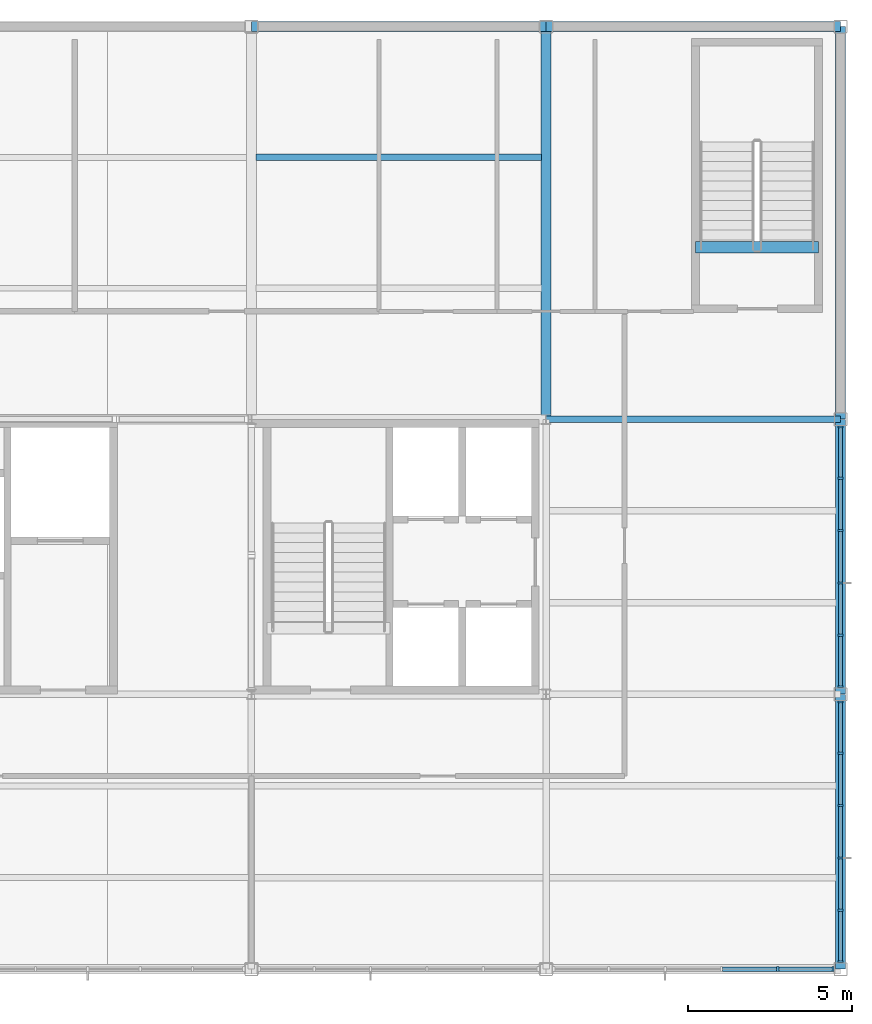
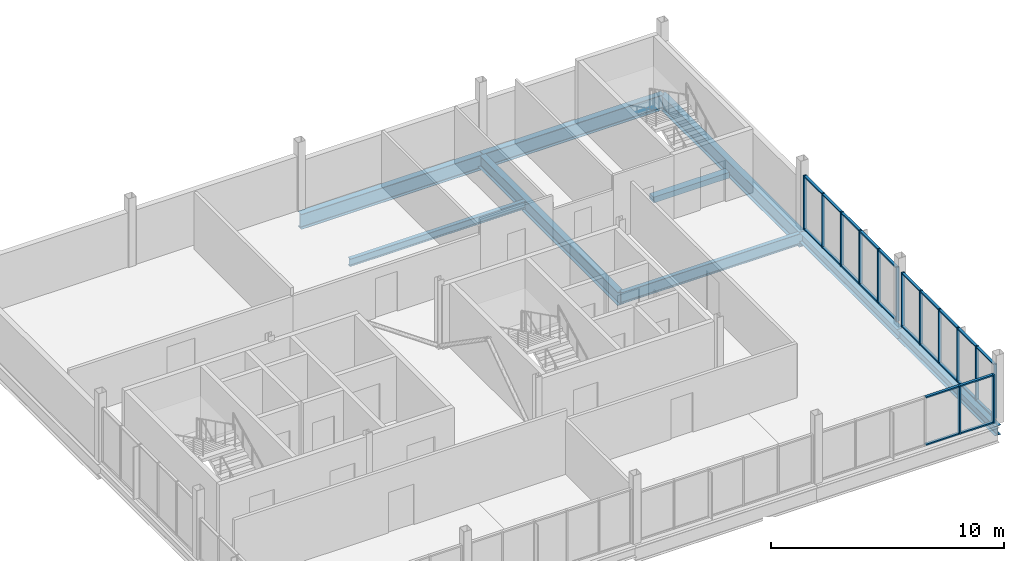
# One storey, part 8 of 15: 38 members, 9 beams, 3 elements without a shape of their own.
"""IFC4 building model written with IfcOpenShell, lengths in metres."""

from ifc_helpers import new_model, si_unit, direction, frame, origin, origin_2d, place, context, subcontext, project, spatial, rectangle, i_section, extrude, material, layer, layer_set, material_profile, profile_set, type_object, element, aggregate, save


model = new_model("IFC4")

# Units and contexts
model_context = context("Model", 3, precision=1e-05, world=origin(), true_north=direction((0.0, 1.0)))
body_context = subcontext(model_context, "Body", "Model", "MODEL_VIEW")
ifc_project = project(units=[si_unit("LENGTHUNIT", "METRE"), si_unit("AREAUNIT", "SQUARE_METRE"), si_unit("VOLUMEUNIT", "CUBIC_METRE"), si_unit("PLANEANGLEUNIT", "RADIAN"), si_unit("MASSUNIT", "GRAM", prefix="KILO")], contexts=[model_context])

# Site, building, storey
site_placement = place(None, origin())
site = spatial("IfcSite", under=ifc_project, at=site_placement, CompositionType="ELEMENT")
building_placement = place(site_placement, origin())
building = spatial("IfcBuilding", under=site, at=building_placement, Name="Yukiwa Park Conservatory and Herbarium", CompositionType="ELEMENT")
storey_placement = place(building_placement, frame((0.0, 0.0, 54.0)))
storey = spatial("IfcBuildingStorey", under=building, at=storey_placement, Name="L14", CompositionType="ELEMENT", Elevation=54.0)

# Beams
ifc_material_1 = material(Name="Steel Q355D", Category="steel")
ifc_material_profile_1 = material_profile(ifc_material_1, i_section(OverallWidth=0.198974609375, OverallDepth=0.595947265625, WebThickness=0.010009765625, FlangeThickness=0.014892578125, FilletRadius=0.02197265625, at=origin_2d()), Name="HN 596x199x10x15")
ifc_profile_set_1 = profile_set([ifc_material_profile_1], Name="Steel Q355D")
beam_type_1 = type_object("IfcBeamType", Name="BM-GRD-HN596", PredefinedType="BEAM", material=ifc_profile_set_1)
beam_1_placement = place(storey_placement, frame((159.006103515625, 103.199951171875, -0.552001953125), z_axis=(1.0, 0.0, 0.0), x_axis=(0.0, 1.0, 0.0)))
element("IfcBeam", 1, at=beam_1_placement, inside=storey, type_object=beam_type_1, Name="L14 grid beam X-12", PredefinedType="BEAM", context=body_context, shape_type="SweptSolid", body=[
    extrude(i_section(OverallWidth=0.198974609375, OverallDepth=0.595947265625, WebThickness=0.010009765625, FlangeThickness=0.014892578125, FilletRadius=0.02197265625, at=origin_2d()), origin(), (0.0, 0.0, 1.0), 8.98779296875),
])
ifc_material_2 = material(Name="Steel Q355D", Category="steel")
ifc_material_profile_2 = material_profile(ifc_material_2, i_section(OverallWidth=0.300048828125, OverallDepth=0.699951171875, WebThickness=0.012939453125, FlangeThickness=0.02392578125, FilletRadius=0.028076171875, at=origin_2d()), Name="HN 700x300x13x24")
ifc_profile_set_2 = profile_set([ifc_material_profile_2], Name="Steel Q355D")
beam_type_2 = type_object("IfcBeamType", Name="BM-GRD-HN700", PredefinedType="BEAM", material=ifc_profile_set_2)
beam_2_placement = place(storey_placement, frame((159.0, 103.2060546875, -0.60400390625), z_axis=(0.0, 1.0, 0.0), x_axis=(-1.0, 0.0, 0.0)))
element("IfcBeam", 2, at=beam_2_placement, inside=storey, type_object=beam_type_2, Name="L14 grid girder Y-27", PredefinedType="BEAM", context=body_context, shape_type="SweptSolid", body=[
    extrude(i_section(OverallWidth=0.300048828125, OverallDepth=0.699951171875, WebThickness=0.012939453125, FlangeThickness=0.02392578125, FilletRadius=0.028076171875, at=origin_2d()), origin(), (0.0, 0.0, 1.0), 11.988037109375),
])
ifc_material_3 = material(Name="Steel Q355D", Category="steel")
ifc_material_profile_3 = material_profile(ifc_material_3, i_section(OverallWidth=0.198974609375, OverallDepth=0.39599609375, WebThickness=0.007080078125, FlangeThickness=0.010986328125, FilletRadius=0.01611328125, at=origin_2d()), Name="HN 396x199x7x11")
ifc_profile_set_3 = profile_set([ifc_material_profile_3], Name="Steel Q355D")
beam_type_3 = type_object("IfcBeamType", Name="BM-JST-HN396", PredefinedType="JOIST", material=ifc_profile_set_3)
beam_3_placement = place(storey_placement, frame((150.14599609375, 111.199951171875, -0.451904296875), z_axis=(1.0, 0.0, 0.0), x_axis=(0.0, 1.0, 0.0)))
element("IfcBeam", 3, at=beam_3_placement, inside=storey, type_object=beam_type_3, Name="L14 composite floor joist 12", PredefinedType="JOIST", context=body_context, shape_type="SweptSolid", body=[
    extrude(i_section(OverallWidth=0.198974609375, OverallDepth=0.39599609375, WebThickness=0.007080078125, FlangeThickness=0.010986328125, FilletRadius=0.01611328125, at=origin_2d()), origin(), (0.0, 0.0, 1.0), 8.7080078125),
])
ifc_material_4 = material(Name="Steel Q355D", Category="steel")
ifc_material_profile_4 = material_profile(ifc_material_4, i_section(OverallWidth=0.300048828125, OverallDepth=0.5, WebThickness=0.010986328125, FlangeThickness=0.01806640625, FilletRadius=0.02392578125, at=origin_2d()), Name="HM 500x300x11x18")
ifc_profile_set_4 = profile_set([ifc_material_profile_4], Name="Steel Q355D")
beam_type_4 = type_object("IfcBeamType", Name="BM-SPN-HN500", PredefinedType="SPANDREL", material=ifc_profile_set_4)
beam_4_placement = place(storey_placement, frame((168.0, 86.406005859375, -0.50390625), z_axis=(0.0, 1.0, 0.0), x_axis=(-1.0, 0.0, 0.0)))
element("IfcBeam", 4, at=beam_4_placement, inside=storey, type_object=beam_type_4, Name="L14 spandrel girder Y-28", PredefinedType="SPANDREL", context=body_context, shape_type="SweptSolid", body=[
    extrude(i_section(OverallWidth=0.300048828125, OverallDepth=0.5, WebThickness=0.010986328125, FlangeThickness=0.01806640625, FilletRadius=0.02392578125, at=origin_2d()), origin(), (0.0, 0.0, 1.0), 8.387939453125),
])
beam_5_placement = place(storey_placement, frame((168.0, 94.805908203125, -0.50390625), z_axis=(0.0, 1.0, 0.0), x_axis=(-1.0, 0.0, 0.0)))
element("IfcBeam", 5, at=beam_5_placement, inside=storey, type_object=beam_type_4, Name="L14 spandrel girder Y-29", PredefinedType="SPANDREL", context=body_context, shape_type="SweptSolid", body=[
    extrude(i_section(OverallWidth=0.300048828125, OverallDepth=0.5, WebThickness=0.010986328125, FlangeThickness=0.01806640625, FilletRadius=0.02392578125, at=origin_2d()), origin(), (0.0, 0.0, 1.0), 8.38818359375),
])
ifc_material_5 = material(Name="Steel Q355D", Category="steel")
ifc_material_profile_5 = material_profile(ifc_material_5, i_section(OverallWidth=0.300048828125, OverallDepth=0.7919921875, WebThickness=0.013916015625, FlangeThickness=0.02197265625, FilletRadius=0.028076171875, at=origin_2d()), Name="HN 792x300x14x22")
ifc_profile_set_5 = profile_set([ifc_material_profile_5], Name="Steel Q355D")
beam_type_5 = type_object("IfcBeamType", Name="BM-SPN-HN600", PredefinedType="SPANDREL", material=ifc_profile_set_5)
for number, where, z_axis, x_axis, name in (
    (6, (150.006103515625, 115.199951171875, -0.64990234375), (1.0, 0.0, 0.0), (0.0, 1.0, 0.0), "L14 spandrel beam X-15"),
    (7, (159.006103515625, 115.199951171875, -0.64990234375), (1.0, 0.0, 0.0), (0.0, 1.0, 0.0), "L14 spandrel beam X-16"),
):
    element("IfcBeam", number, at=place(storey_placement, frame(where, z_axis=z_axis, x_axis=x_axis)), inside=storey, type_object=beam_type_5, Name=name, PredefinedType="SPANDREL", context=body_context, shape_type="SweptSolid", body=[
        extrude(i_section(OverallWidth=0.300048828125, OverallDepth=0.7919921875, WebThickness=0.013916015625, FlangeThickness=0.02197265625, FilletRadius=0.028076171875, at=origin_2d()), origin(), (0.0, 0.0, 1.0), 8.98779296875),
    ])
beam_6_placement = place(storey_placement, frame((168.0, 103.2060546875, -0.64990234375), z_axis=(0.0, 1.0, 0.0), x_axis=(-1.0, 0.0, 0.0)))
element("IfcBeam", 8, at=beam_6_placement, inside=storey, type_object=beam_type_5, Name="L14 spandrel girder Y-30", PredefinedType="SPANDREL", context=body_context, shape_type="SweptSolid", body=[
    extrude(i_section(OverallWidth=0.300048828125, OverallDepth=0.7919921875, WebThickness=0.013916015625, FlangeThickness=0.02197265625, FilletRadius=0.028076171875, at=origin_2d()), origin(), (0.0, 0.0, 1.0), 11.988037109375),
])
ifc_material_6 = material(Name="Concrete C40", Category="concrete")
ifc_material_profile_6 = material_profile(ifc_material_6, rectangle(XDim=0.35009765625, YDim=0.300048828125, at=origin_2d()), Name="RC 350x300")
ifc_profile_set_6 = profile_set([ifc_material_profile_6], Name="Concrete C40")
beam_type_6 = type_object("IfcBeamType", Name="BM-STAIR-TRIM", PredefinedType="BEAM", material=ifc_profile_set_6)
beam_7_placement = place(storey_placement, frame((163.570068359375, 108.4599609375, -0.14990234375), z_axis=(1.0, 0.0, 0.0), x_axis=(0.0, 1.0, 0.0)))
element("IfcBeam", 9, at=beam_7_placement, inside=storey, type_object=beam_type_6, Name="Stair ST-T3 L14 landing trimmer beam", PredefinedType="BEAM", context=body_context, shape_type="SweptSolid", body=[
    extrude(rectangle(XDim=0.35009765625, YDim=0.300048828125, at=origin_2d()), origin(), (0.0, 0.0, 1.0), 3.75),
])

# Curtain wall, members
ifc_material_7 = material(Name="Triple Low-E Insulated Glass", Category="glass")
ifc_layer = layer(ifc_material_7, 0.27197265625)
ifc_layer_set = layer_set([ifc_layer], Name="Triple Low-E Insulated Glass")
curtain_wall_type = type_object("IfcCurtainWallType", Name="CW-TOWER-LIB-1600", PredefinedType="NOTDEFINED", material=ifc_layer_set)
curtain_wall_1_placement = place(storey_placement, origin())
curtain_wall_1 = element("IfcCurtainWall", 10, at=curtain_wall_1_placement, inside=storey, type_object=curtain_wall_type, Name="L14 unitised curtain wall CW-L14-133", PredefinedType="NOTDEFINED")
ifc_material_8 = material(Name="Anodised Aluminium", Category="aluminium")
member_type_1 = type_object("IfcMemberType", Name="MB-CW-MUL-70X150", PredefinedType="MULLION", material=ifc_material_8)
member_1_placement = place(storey_placement, frame((168.0, 86.635009765625, 0.0), z_axis=(0.0, 0.0, 1.0), x_axis=(0.0, 1.0, 0.0)))
member_1 = element("IfcMember", 11, at=member_1_placement, type_object=member_type_1, Name="CW-L14-133 mullion 1", PredefinedType="MULLION", context=body_context, shape_type="SweptSolid", body=[
    extrude(rectangle(XDim=0.070068359375, YDim=0.14990234375, at=origin_2d()), origin(), (0.0, 0.0, 1.0), 2.843994140625),
])
member_2_placement = place(storey_placement, frame((168.0, 88.199951171875, 0.0), z_axis=(0.0, 0.0, 1.0), x_axis=(0.0, 1.0, 0.0)))
member_2 = element("IfcMember", 12, at=member_2_placement, type_object=member_type_1, Name="CW-L14-133 mullion 2", PredefinedType="MULLION", context=body_context, shape_type="SweptSolid", body=[
    extrude(rectangle(XDim=0.070068359375, YDim=0.14990234375, at=origin_2d()), origin(), (0.0, 0.0, 1.0), 2.843994140625),
])
member_3_placement = place(storey_placement, frame((168.0, 89.800048828125, 0.0), z_axis=(0.0, 0.0, 1.0), x_axis=(0.0, 1.0, 0.0)))
member_3 = element("IfcMember", 13, at=member_3_placement, type_object=member_type_1, Name="CW-L14-133 mullion 3", PredefinedType="MULLION", context=body_context, shape_type="SweptSolid", body=[
    extrude(rectangle(XDim=0.070068359375, YDim=0.14990234375, at=origin_2d()), origin(), (0.0, 0.0, 1.0), 2.843994140625),
])
member_4_placement = place(storey_placement, frame((168.0, 91.39990234375, 0.0), z_axis=(0.0, 0.0, 1.0), x_axis=(0.0, 1.0, 0.0)))
member_4 = element("IfcMember", 14, at=member_4_placement, type_object=member_type_1, Name="CW-L14-133 mullion 4", PredefinedType="MULLION", context=body_context, shape_type="SweptSolid", body=[
    extrude(rectangle(XDim=0.070068359375, YDim=0.14990234375, at=origin_2d()), origin(), (0.0, 0.0, 1.0), 2.843994140625),
])
member_5_placement = place(storey_placement, frame((168.0, 93.0, 0.0), z_axis=(0.0, 0.0, 1.0), x_axis=(0.0, 1.0, 0.0)))
member_5 = element("IfcMember", 15, at=member_5_placement, type_object=member_type_1, Name="CW-L14-133 mullion 5", PredefinedType="MULLION", context=body_context, shape_type="SweptSolid", body=[
    extrude(rectangle(XDim=0.070068359375, YDim=0.14990234375, at=origin_2d()), origin(), (0.0, 0.0, 1.0), 2.843994140625),
])
member_6_placement = place(storey_placement, frame((168.0, 94.56494140625, 0.0), z_axis=(0.0, 0.0, 1.0), x_axis=(0.0, 1.0, 0.0)))
member_6 = element("IfcMember", 16, at=member_6_placement, type_object=member_type_1, Name="CW-L14-133 mullion 6", PredefinedType="MULLION", context=body_context, shape_type="SweptSolid", body=[
    extrude(rectangle(XDim=0.070068359375, YDim=0.14990234375, at=origin_2d()), origin(), (0.0, 0.0, 1.0), 2.843994140625),
])

curtain_wall_2_placement = place(storey_placement, origin())
curtain_wall_2 = element("IfcCurtainWall", 17, at=curtain_wall_2_placement, inside=storey, type_object=curtain_wall_type, Name="L14 unitised curtain wall CW-L14-134", PredefinedType="NOTDEFINED")
member_7_placement = place(storey_placement, frame((168.0, 95.034912109375, 0.0), z_axis=(0.0, 0.0, 1.0), x_axis=(0.0, 1.0, 0.0)))
member_7 = element("IfcMember", 18, at=member_7_placement, type_object=member_type_1, Name="CW-L14-134 mullion 1", PredefinedType="MULLION", context=body_context, shape_type="SweptSolid", body=[
    extrude(rectangle(XDim=0.070068359375, YDim=0.14990234375, at=origin_2d()), origin(), (0.0, 0.0, 1.0), 2.843994140625),
])
member_8_placement = place(storey_placement, frame((168.0, 96.60009765625, 0.0), z_axis=(0.0, 0.0, 1.0), x_axis=(0.0, 1.0, 0.0)))
member_8 = element("IfcMember", 19, at=member_8_placement, type_object=member_type_1, Name="CW-L14-134 mullion 2", PredefinedType="MULLION", context=body_context, shape_type="SweptSolid", body=[
    extrude(rectangle(XDim=0.070068359375, YDim=0.14990234375, at=origin_2d()), origin(), (0.0, 0.0, 1.0), 2.843994140625),
])
member_9_placement = place(storey_placement, frame((168.0, 98.199951171875, 0.0), z_axis=(0.0, 0.0, 1.0), x_axis=(0.0, 1.0, 0.0)))
member_9 = element("IfcMember", 20, at=member_9_placement, type_object=member_type_1, Name="CW-L14-134 mullion 3", PredefinedType="MULLION", context=body_context, shape_type="SweptSolid", body=[
    extrude(rectangle(XDim=0.070068359375, YDim=0.14990234375, at=origin_2d()), origin(), (0.0, 0.0, 1.0), 2.843994140625),
])
member_10_placement = place(storey_placement, frame((168.0, 99.800048828125, 0.0), z_axis=(0.0, 0.0, 1.0), x_axis=(0.0, 1.0, 0.0)))
member_10 = element("IfcMember", 21, at=member_10_placement, type_object=member_type_1, Name="CW-L14-134 mullion 4", PredefinedType="MULLION", context=body_context, shape_type="SweptSolid", body=[
    extrude(rectangle(XDim=0.070068359375, YDim=0.14990234375, at=origin_2d()), origin(), (0.0, 0.0, 1.0), 2.843994140625),
])
member_11_placement = place(storey_placement, frame((168.0, 101.39990234375, 0.0), z_axis=(0.0, 0.0, 1.0), x_axis=(0.0, 1.0, 0.0)))
member_11 = element("IfcMember", 22, at=member_11_placement, type_object=member_type_1, Name="CW-L14-134 mullion 5", PredefinedType="MULLION", context=body_context, shape_type="SweptSolid", body=[
    extrude(rectangle(XDim=0.070068359375, YDim=0.14990234375, at=origin_2d()), origin(), (0.0, 0.0, 1.0), 2.843994140625),
])
member_12_placement = place(storey_placement, frame((168.0, 102.965087890625, 0.0), z_axis=(0.0, 0.0, 1.0), x_axis=(0.0, 1.0, 0.0)))
member_12 = element("IfcMember", 23, at=member_12_placement, type_object=member_type_1, Name="CW-L14-134 mullion 6", PredefinedType="MULLION", context=body_context, shape_type="SweptSolid", body=[
    extrude(rectangle(XDim=0.070068359375, YDim=0.14990234375, at=origin_2d()), origin(), (0.0, 0.0, 1.0), 2.843994140625),
])

curtain_wall_3_placement = place(storey_placement, origin())
curtain_wall_3 = element("IfcCurtainWall", 24, at=curtain_wall_3_placement, inside=storey, type_object=curtain_wall_type, Name="L14 unitised curtain wall CW-L14-140", PredefinedType="NOTDEFINED")
member_13_placement = place(storey_placement, frame((166.080078125, 86.39990234375, 0.0), z_axis=(0.0, 0.0, 1.0), x_axis=(1.0, 0.0, 0.0)))
member_13 = element("IfcMember", 25, at=member_13_placement, type_object=member_type_1, Name="CW-L14-140 mullion 5", PredefinedType="MULLION", context=body_context, shape_type="SweptSolid", body=[
    extrude(rectangle(XDim=0.070068359375, YDim=0.14990234375, at=origin_2d()), origin(), (0.0, 0.0, 1.0), 2.552001953125),
])
member_14_placement = place(storey_placement, frame((167.764892578125, 86.39990234375, 0.0), z_axis=(0.0, 0.0, 1.0), x_axis=(1.0, 0.0, 0.0)))
member_14 = element("IfcMember", 26, at=member_14_placement, type_object=member_type_1, Name="CW-L14-140 mullion 6", PredefinedType="MULLION", context=body_context, shape_type="SweptSolid", body=[
    extrude(rectangle(XDim=0.070068359375, YDim=0.14990234375, at=origin_2d()), origin(), (0.0, 0.0, 1.0), 2.552001953125),
])

# Member
ifc_material_9 = material(Name="Anodised Aluminium", Category="aluminium")
member_type_2 = type_object("IfcMemberType", Name="MB-CW-TRN-70X130", PredefinedType="USERDEFINED", material=ifc_material_9)
member_15_placement = place(storey_placement, frame((168.0, 87.39990234375, 0.0), z_axis=(0.0, 0.0, 1.0), x_axis=(0.0, 1.0, 0.0)))
member_15 = element("IfcMember", 27, at=member_15_placement, type_object=member_type_2, Name="CW-L14-133 transom 1.1", ObjectType="TRANSOM", PredefinedType="USERDEFINED", context=body_context, shape_type="SweptSolid", body=[
    extrude(rectangle(XDim=1.530029296875, YDim=0.1298828125, at=origin_2d()), origin(), (0.0, 0.0, 1.0), 0.070068359375),
])

member_16_placement = place(storey_placement, frame((168.0, 87.39990234375, 2.77392578125), z_axis=(0.0, 0.0, 1.0), x_axis=(0.0, 1.0, 0.0)))
member_16 = element("IfcMember", 28, at=member_16_placement, type_object=member_type_2, Name="CW-L14-133 transom 1.2", ObjectType="TRANSOM", PredefinedType="USERDEFINED", context=body_context, shape_type="SweptSolid", body=[
    extrude(rectangle(XDim=1.530029296875, YDim=0.1298828125, at=origin_2d()), origin(), (0.0, 0.0, 1.0), 0.070068359375),
])

member_17_placement = place(storey_placement, frame((168.0, 89.0, 0.0), z_axis=(0.0, 0.0, 1.0), x_axis=(0.0, 1.0, 0.0)))
member_17 = element("IfcMember", 29, at=member_17_placement, type_object=member_type_2, Name="CW-L14-133 transom 2.1", ObjectType="TRANSOM", PredefinedType="USERDEFINED", context=body_context, shape_type="SweptSolid", body=[
    extrude(rectangle(XDim=1.530029296875, YDim=0.1298828125, at=origin_2d()), origin(), (0.0, 0.0, 1.0), 0.070068359375),
])

member_18_placement = place(storey_placement, frame((168.0, 89.0, 2.77392578125), z_axis=(0.0, 0.0, 1.0), x_axis=(0.0, 1.0, 0.0)))
member_18 = element("IfcMember", 30, at=member_18_placement, type_object=member_type_2, Name="CW-L14-133 transom 2.2", ObjectType="TRANSOM", PredefinedType="USERDEFINED", context=body_context, shape_type="SweptSolid", body=[
    extrude(rectangle(XDim=1.530029296875, YDim=0.1298828125, at=origin_2d()), origin(), (0.0, 0.0, 1.0), 0.070068359375),
])

member_19_placement = place(storey_placement, frame((168.0, 90.60009765625, 0.0), z_axis=(0.0, 0.0, 1.0), x_axis=(0.0, 1.0, 0.0)))
member_19 = element("IfcMember", 31, at=member_19_placement, type_object=member_type_2, Name="CW-L14-133 transom 3.1", ObjectType="TRANSOM", PredefinedType="USERDEFINED", context=body_context, shape_type="SweptSolid", body=[
    extrude(rectangle(XDim=1.530029296875, YDim=0.1298828125, at=origin_2d()), origin(), (0.0, 0.0, 1.0), 0.070068359375),
])

member_20_placement = place(storey_placement, frame((168.0, 90.60009765625, 2.77392578125), z_axis=(0.0, 0.0, 1.0), x_axis=(0.0, 1.0, 0.0)))
member_20 = element("IfcMember", 32, at=member_20_placement, type_object=member_type_2, Name="CW-L14-133 transom 3.2", ObjectType="TRANSOM", PredefinedType="USERDEFINED", context=body_context, shape_type="SweptSolid", body=[
    extrude(rectangle(XDim=1.530029296875, YDim=0.1298828125, at=origin_2d()), origin(), (0.0, 0.0, 1.0), 0.070068359375),
])

member_21_placement = place(storey_placement, frame((168.0, 92.199951171875, 0.0), z_axis=(0.0, 0.0, 1.0), x_axis=(0.0, 1.0, 0.0)))
member_21 = element("IfcMember", 33, at=member_21_placement, type_object=member_type_2, Name="CW-L14-133 transom 4.1", ObjectType="TRANSOM", PredefinedType="USERDEFINED", context=body_context, shape_type="SweptSolid", body=[
    extrude(rectangle(XDim=1.530029296875, YDim=0.1298828125, at=origin_2d()), origin(), (0.0, 0.0, 1.0), 0.070068359375),
])

member_22_placement = place(storey_placement, frame((168.0, 92.199951171875, 2.77392578125), z_axis=(0.0, 0.0, 1.0), x_axis=(0.0, 1.0, 0.0)))
member_22 = element("IfcMember", 34, at=member_22_placement, type_object=member_type_2, Name="CW-L14-133 transom 4.2", ObjectType="TRANSOM", PredefinedType="USERDEFINED", context=body_context, shape_type="SweptSolid", body=[
    extrude(rectangle(XDim=1.530029296875, YDim=0.1298828125, at=origin_2d()), origin(), (0.0, 0.0, 1.0), 0.070068359375),
])

member_23_placement = place(storey_placement, frame((168.0, 93.800048828125, 0.0), z_axis=(0.0, 0.0, 1.0), x_axis=(0.0, 1.0, 0.0)))
member_23 = element("IfcMember", 35, at=member_23_placement, type_object=member_type_2, Name="CW-L14-133 transom 5.1", ObjectType="TRANSOM", PredefinedType="USERDEFINED", context=body_context, shape_type="SweptSolid", body=[
    extrude(rectangle(XDim=1.530029296875, YDim=0.1298828125, at=origin_2d()), origin(), (0.0, 0.0, 1.0), 0.070068359375),
])

member_24_placement = place(storey_placement, frame((168.0, 93.800048828125, 2.77392578125), z_axis=(0.0, 0.0, 1.0), x_axis=(0.0, 1.0, 0.0)))
member_24 = element("IfcMember", 36, at=member_24_placement, type_object=member_type_2, Name="CW-L14-133 transom 5.2", ObjectType="TRANSOM", PredefinedType="USERDEFINED", context=body_context, shape_type="SweptSolid", body=[
    extrude(rectangle(XDim=1.530029296875, YDim=0.1298828125, at=origin_2d()), origin(), (0.0, 0.0, 1.0), 0.070068359375),
])

aggregate(curtain_wall_1, [member_1, member_2, member_3, member_4, member_5, member_6, member_15, member_16, member_17, member_18, member_19, member_20, member_21, member_22, member_23, member_24])

member_25_placement = place(storey_placement, frame((168.0, 95.800048828125, 0.0), z_axis=(0.0, 0.0, 1.0), x_axis=(0.0, 1.0, 0.0)))
member_25 = element("IfcMember", 37, at=member_25_placement, type_object=member_type_2, Name="CW-L14-134 transom 1.1", ObjectType="TRANSOM", PredefinedType="USERDEFINED", context=body_context, shape_type="SweptSolid", body=[
    extrude(rectangle(XDim=1.530029296875, YDim=0.1298828125, at=origin_2d()), origin(), (0.0, 0.0, 1.0), 0.070068359375),
])

member_26_placement = place(storey_placement, frame((168.0, 95.800048828125, 2.77392578125), z_axis=(0.0, 0.0, 1.0), x_axis=(0.0, 1.0, 0.0)))
member_26 = element("IfcMember", 38, at=member_26_placement, type_object=member_type_2, Name="CW-L14-134 transom 1.2", ObjectType="TRANSOM", PredefinedType="USERDEFINED", context=body_context, shape_type="SweptSolid", body=[
    extrude(rectangle(XDim=1.530029296875, YDim=0.1298828125, at=origin_2d()), origin(), (0.0, 0.0, 1.0), 0.070068359375),
])

member_27_placement = place(storey_placement, frame((168.0, 97.39990234375, 0.0), z_axis=(0.0, 0.0, 1.0), x_axis=(0.0, 1.0, 0.0)))
member_27 = element("IfcMember", 39, at=member_27_placement, type_object=member_type_2, Name="CW-L14-134 transom 2.1", ObjectType="TRANSOM", PredefinedType="USERDEFINED", context=body_context, shape_type="SweptSolid", body=[
    extrude(rectangle(XDim=1.530029296875, YDim=0.1298828125, at=origin_2d()), origin(), (0.0, 0.0, 1.0), 0.070068359375),
])

member_28_placement = place(storey_placement, frame((168.0, 97.39990234375, 2.77392578125), z_axis=(0.0, 0.0, 1.0), x_axis=(0.0, 1.0, 0.0)))
member_28 = element("IfcMember", 40, at=member_28_placement, type_object=member_type_2, Name="CW-L14-134 transom 2.2", ObjectType="TRANSOM", PredefinedType="USERDEFINED", context=body_context, shape_type="SweptSolid", body=[
    extrude(rectangle(XDim=1.530029296875, YDim=0.1298828125, at=origin_2d()), origin(), (0.0, 0.0, 1.0), 0.070068359375),
])

member_29_placement = place(storey_placement, frame((168.0, 99.0, 0.0), z_axis=(0.0, 0.0, 1.0), x_axis=(0.0, 1.0, 0.0)))
member_29 = element("IfcMember", 41, at=member_29_placement, type_object=member_type_2, Name="CW-L14-134 transom 3.1", ObjectType="TRANSOM", PredefinedType="USERDEFINED", context=body_context, shape_type="SweptSolid", body=[
    extrude(rectangle(XDim=1.530029296875, YDim=0.1298828125, at=origin_2d()), origin(), (0.0, 0.0, 1.0), 0.070068359375),
])

member_30_placement = place(storey_placement, frame((168.0, 99.0, 2.77392578125), z_axis=(0.0, 0.0, 1.0), x_axis=(0.0, 1.0, 0.0)))
member_30 = element("IfcMember", 42, at=member_30_placement, type_object=member_type_2, Name="CW-L14-134 transom 3.2", ObjectType="TRANSOM", PredefinedType="USERDEFINED", context=body_context, shape_type="SweptSolid", body=[
    extrude(rectangle(XDim=1.530029296875, YDim=0.1298828125, at=origin_2d()), origin(), (0.0, 0.0, 1.0), 0.070068359375),
])

member_31_placement = place(storey_placement, frame((168.0, 100.60009765625, 0.0), z_axis=(0.0, 0.0, 1.0), x_axis=(0.0, 1.0, 0.0)))
member_31 = element("IfcMember", 43, at=member_31_placement, type_object=member_type_2, Name="CW-L14-134 transom 4.1", ObjectType="TRANSOM", PredefinedType="USERDEFINED", context=body_context, shape_type="SweptSolid", body=[
    extrude(rectangle(XDim=1.530029296875, YDim=0.1298828125, at=origin_2d()), origin(), (0.0, 0.0, 1.0), 0.070068359375),
])

member_32_placement = place(storey_placement, frame((168.0, 100.60009765625, 2.77392578125), z_axis=(0.0, 0.0, 1.0), x_axis=(0.0, 1.0, 0.0)))
member_32 = element("IfcMember", 44, at=member_32_placement, type_object=member_type_2, Name="CW-L14-134 transom 4.2", ObjectType="TRANSOM", PredefinedType="USERDEFINED", context=body_context, shape_type="SweptSolid", body=[
    extrude(rectangle(XDim=1.530029296875, YDim=0.1298828125, at=origin_2d()), origin(), (0.0, 0.0, 1.0), 0.070068359375),
])

member_33_placement = place(storey_placement, frame((168.0, 102.199951171875, 0.0), z_axis=(0.0, 0.0, 1.0), x_axis=(0.0, 1.0, 0.0)))
member_33 = element("IfcMember", 45, at=member_33_placement, type_object=member_type_2, Name="CW-L14-134 transom 5.1", ObjectType="TRANSOM", PredefinedType="USERDEFINED", context=body_context, shape_type="SweptSolid", body=[
    extrude(rectangle(XDim=1.530029296875, YDim=0.1298828125, at=origin_2d()), origin(), (0.0, 0.0, 1.0), 0.070068359375),
])

member_34_placement = place(storey_placement, frame((168.0, 102.199951171875, 2.77392578125), z_axis=(0.0, 0.0, 1.0), x_axis=(0.0, 1.0, 0.0)))
member_34 = element("IfcMember", 46, at=member_34_placement, type_object=member_type_2, Name="CW-L14-134 transom 5.2", ObjectType="TRANSOM", PredefinedType="USERDEFINED", context=body_context, shape_type="SweptSolid", body=[
    extrude(rectangle(XDim=1.530029296875, YDim=0.1298828125, at=origin_2d()), origin(), (0.0, 0.0, 1.0), 0.070068359375),
])

aggregate(curtain_wall_2, [member_7, member_8, member_9, member_10, member_11, member_12, member_25, member_26, member_27, member_28, member_29, member_30, member_31, member_32, member_33, member_34])

member_35_placement = place(storey_placement, frame((165.219970703125, 86.39990234375, 0.0), z_axis=(0.0, 0.0, 1.0), x_axis=(1.0, 0.0, 0.0)))
member_35 = element("IfcMember", 47, at=member_35_placement, type_object=member_type_2, Name="CW-L14-140 transom 4.1", ObjectType="TRANSOM", PredefinedType="USERDEFINED", context=body_context, shape_type="SweptSolid", body=[
    extrude(rectangle(XDim=1.64990234375, YDim=0.1298828125, at=origin_2d()), origin(), (0.0, 0.0, 1.0), 0.070068359375),
])

member_36_placement = place(storey_placement, frame((165.219970703125, 86.39990234375, 2.48193359375), z_axis=(0.0, 0.0, 1.0), x_axis=(1.0, 0.0, 0.0)))
member_36 = element("IfcMember", 48, at=member_36_placement, type_object=member_type_2, Name="CW-L14-140 transom 4.2", ObjectType="TRANSOM", PredefinedType="USERDEFINED", context=body_context, shape_type="SweptSolid", body=[
    extrude(rectangle(XDim=1.64990234375, YDim=0.1298828125, at=origin_2d()), origin(), (0.0, 0.0, 1.0), 0.070068359375),
])

member_37_placement = place(storey_placement, frame((166.93994140625, 86.39990234375, 0.0), z_axis=(0.0, 0.0, 1.0), x_axis=(1.0, 0.0, 0.0)))
member_37 = element("IfcMember", 49, at=member_37_placement, type_object=member_type_2, Name="CW-L14-140 transom 5.1", ObjectType="TRANSOM", PredefinedType="USERDEFINED", context=body_context, shape_type="SweptSolid", body=[
    extrude(rectangle(XDim=1.64990234375, YDim=0.1298828125, at=origin_2d()), origin(), (0.0, 0.0, 1.0), 0.070068359375),
])

member_38_placement = place(storey_placement, frame((166.93994140625, 86.39990234375, 2.48193359375), z_axis=(0.0, 0.0, 1.0), x_axis=(1.0, 0.0, 0.0)))
member_38 = element("IfcMember", 50, at=member_38_placement, type_object=member_type_2, Name="CW-L14-140 transom 5.2", ObjectType="TRANSOM", PredefinedType="USERDEFINED", context=body_context, shape_type="SweptSolid", body=[
    extrude(rectangle(XDim=1.64990234375, YDim=0.1298828125, at=origin_2d()), origin(), (0.0, 0.0, 1.0), 0.070068359375),
])

aggregate(curtain_wall_3, [member_13, member_14, member_35, member_36, member_37, member_38])

save(model, "model.ifc")
